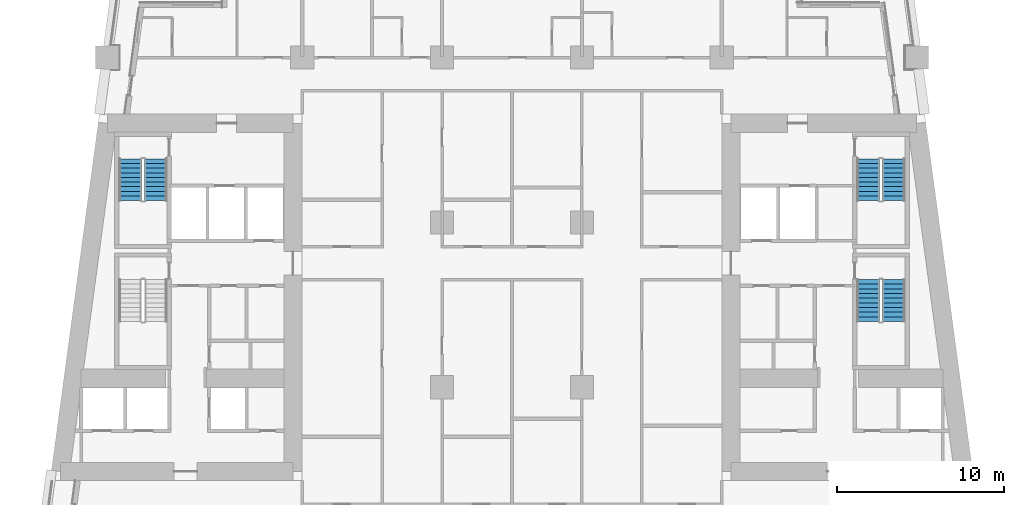
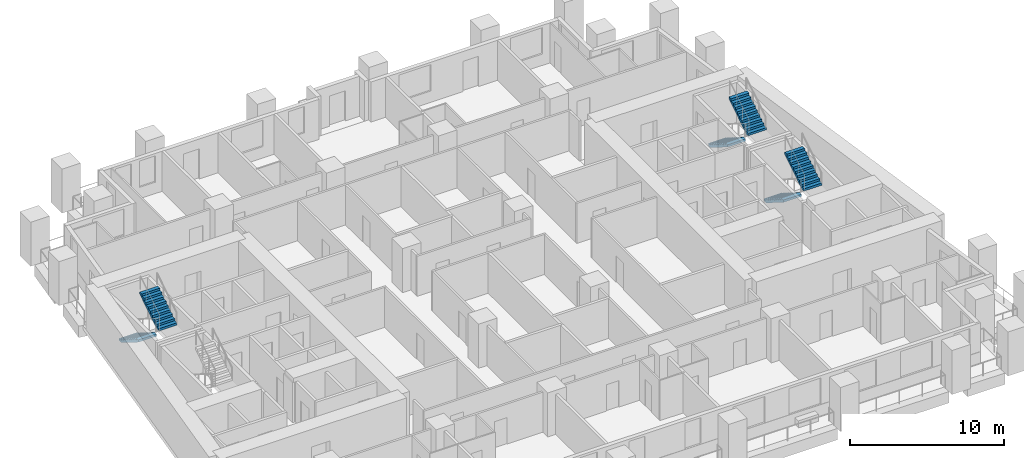
# One storey, part 8 of 13: 6 stair flights, 3 elements without a shape of their own.
"""IFC4 building model written with IfcOpenShell, lengths in metres."""

from ifc_helpers import new_model, si_unit, direction, frame, origin, place, context, subcontext, project, spatial, polyline, outline, extrude, material, type_object, element, aggregate, save


model = new_model("IFC4")

# Units and contexts
model_context = context("Model", 3, precision=1e-05, world=origin(), true_north=direction((0.0, 1.0)))
body_context = subcontext(model_context, "Body", "Model", "MODEL_VIEW")
ifc_project = project(units=[si_unit("LENGTHUNIT", "METRE"), si_unit("AREAUNIT", "SQUARE_METRE"), si_unit("VOLUMEUNIT", "CUBIC_METRE"), si_unit("PLANEANGLEUNIT", "RADIAN"), si_unit("MASSUNIT", "GRAM", prefix="KILO")], contexts=[model_context])

# Site, building, storey
site_placement = place(None, origin())
site = spatial("IfcSite", under=ifc_project, at=site_placement, CompositionType="ELEMENT")
building_placement = place(site_placement, origin())
building = spatial("IfcBuilding", under=site, at=building_placement, Name="Candeia Pilgrim Tower and Theatre", CompositionType="ELEMENT")
storey_placement = place(building_placement, frame((0.0, 0.0, 56.5)))
storey = spatial("IfcBuildingStorey", under=building, at=storey_placement, Name="L11", CompositionType="ELEMENT", Elevation=56.5)

# Stair, stair flights
ifc_material = material(Name="Concrete C40/50", Category="concrete")
stair_type = type_object("IfcStairType", Name="ST-TWR dog-leg escape stair", PredefinedType="HALF_TURN_STAIR", material=ifc_material)
stair_1_placement = place(storey_placement, origin())
stair_1 = element("IfcStair", 1, at=stair_1_placement, inside=storey, type_object=stair_type, Name="L11 Escape stair ST2", PredefinedType="HALF_TURN_STAIR")
stair_flight_type = type_object("IfcStairFlightType", Name="SFL-RC stair flight", PredefinedType="STRAIGHT", material=ifc_material)
stair_flight_1_placement = place(storey_placement, frame((90.47705078125, 129.72509765625, 0.0), z_axis=(0.0, 0.0, 1.0), x_axis=(0.0, -1.0, 0.0)))
stair_flight_1 = element("IfcStairFlight", 2, at=stair_flight_1_placement, type_object=stair_flight_type, Name="ST2 flight 1", NumberOfRisers=10, NumberOfTreads=9, PredefinedType="STRAIGHT", RiserHeight=0.175, TreadLength=0.28, context=body_context, shape_type="SweptSolid", body=[
    extrude(outline(polyline([(0.0, 0.0), (0.0, 0.175048828125), (0.280029296875, 0.175048828125), (0.280029296875, 0.35009765625), (0.56005859375, 0.35009765625), (0.56005859375, 0.52490234375), (0.840087890625, 0.52490234375), (0.840087890625, 0.699951171875), (1.1201171875, 0.699951171875), (1.1201171875, 0.875), (1.39990234375, 0.875), (1.39990234375, 1.050048828125), (1.679931640625, 1.050048828125), (1.679931640625, 1.22509765625), (1.9599609375, 1.22509765625), (1.9599609375, 1.39990234375), (2.239990234375, 1.39990234375), (2.239990234375, 1.574951171875), (2.52001953125, 1.574951171875), (2.52001953125, 1.75), (2.52001953125, 1.398193359375), (0.28271484375, 0.0), (0.0, 0.0)])), frame((0.0, 0.675048828125, 0.0), z_axis=(0.0, -1.0, 0.0), x_axis=(1.0, 0.0, 0.0)), (0.0, 0.0, 1.0), 1.35009765625),
])
stair_flight_2_placement = place(storey_placement, frame((92.027099609375, 127.205078125, 1.75), z_axis=(0.0, 0.0, 1.0), x_axis=(0.0, 1.0, 0.0)))
stair_flight_2 = element("IfcStairFlight", 3, at=stair_flight_2_placement, type_object=stair_flight_type, Name="ST2 flight 2", NumberOfRisers=10, NumberOfTreads=9, PredefinedType="STRAIGHT", RiserHeight=0.175, TreadLength=0.28, context=body_context, shape_type="SweptSolid", body=[
    extrude(outline(polyline([(0.0, 0.0), (0.0, 0.175048828125), (0.280029296875, 0.175048828125), (0.280029296875, 0.35009765625), (0.56005859375, 0.35009765625), (0.56005859375, 0.52490234375), (0.840087890625, 0.52490234375), (0.840087890625, 0.699951171875), (1.1201171875, 0.699951171875), (1.1201171875, 0.875), (1.39990234375, 0.875), (1.39990234375, 1.050048828125), (1.679931640625, 1.050048828125), (1.679931640625, 1.22509765625), (1.9599609375, 1.22509765625), (1.9599609375, 1.39990234375), (2.239990234375, 1.39990234375), (2.239990234375, 1.574951171875), (2.52001953125, 1.574951171875), (2.52001953125, 1.75), (2.52001953125, 1.398193359375), (0.28271484375, 0.0), (0.0, 0.0)])), frame((0.0, 0.675048828125, 0.0), z_axis=(0.0, -1.0, 0.0), x_axis=(1.0, 0.0, 0.0)), (0.0, 0.0, 1.0), 1.35009765625),
])
aggregate(stair_1, [stair_flight_1, stair_flight_2])

stair_2_placement = place(storey_placement, origin())
stair_2 = element("IfcStair", 4, at=stair_2_placement, inside=storey, type_object=stair_type, Name="L11 Escape stair ST3", PredefinedType="HALF_TURN_STAIR")
stair_flight_3_placement = place(storey_placement, frame((134.77294921875, 122.47509765625, 0.0), z_axis=(0.0, 0.0, 1.0), x_axis=(0.0, -1.0, 0.0)))
stair_flight_3 = element("IfcStairFlight", 5, at=stair_flight_3_placement, type_object=stair_flight_type, Name="ST3 flight 1", NumberOfRisers=10, NumberOfTreads=9, PredefinedType="STRAIGHT", RiserHeight=0.175, TreadLength=0.28, context=body_context, shape_type="SweptSolid", body=[
    extrude(outline(polyline([(0.0, 0.0), (0.0, 0.175048828125), (0.280029296875, 0.175048828125), (0.280029296875, 0.35009765625), (0.56005859375, 0.35009765625), (0.56005859375, 0.52490234375), (0.840087890625, 0.52490234375), (0.840087890625, 0.699951171875), (1.1201171875, 0.699951171875), (1.1201171875, 0.875), (1.39990234375, 0.875), (1.39990234375, 1.050048828125), (1.679931640625, 1.050048828125), (1.679931640625, 1.22509765625), (1.9599609375, 1.22509765625), (1.9599609375, 1.39990234375), (2.239990234375, 1.39990234375), (2.239990234375, 1.574951171875), (2.52001953125, 1.574951171875), (2.52001953125, 1.75), (2.52001953125, 1.398193359375), (0.28271484375, 0.0), (0.0, 0.0)])), frame((0.0, 0.675048828125, 0.0), z_axis=(0.0, -1.0, 0.0), x_axis=(1.0, 0.0, 0.0)), (0.0, 0.0, 1.0), 1.35009765625),
])
stair_flight_4_placement = place(storey_placement, frame((136.322998046875, 119.955078125, 1.75), z_axis=(0.0, 0.0, 1.0), x_axis=(0.0, 1.0, 0.0)))
stair_flight_4 = element("IfcStairFlight", 6, at=stair_flight_4_placement, type_object=stair_flight_type, Name="ST3 flight 2", NumberOfRisers=10, NumberOfTreads=9, PredefinedType="STRAIGHT", RiserHeight=0.175, TreadLength=0.28, context=body_context, shape_type="SweptSolid", body=[
    extrude(outline(polyline([(0.0, 0.0), (0.0, 0.175048828125), (0.280029296875, 0.175048828125), (0.280029296875, 0.35009765625), (0.56005859375, 0.35009765625), (0.56005859375, 0.52490234375), (0.840087890625, 0.52490234375), (0.840087890625, 0.699951171875), (1.1201171875, 0.699951171875), (1.1201171875, 0.875), (1.39990234375, 0.875), (1.39990234375, 1.050048828125), (1.679931640625, 1.050048828125), (1.679931640625, 1.22509765625), (1.9599609375, 1.22509765625), (1.9599609375, 1.39990234375), (2.239990234375, 1.39990234375), (2.239990234375, 1.574951171875), (2.52001953125, 1.574951171875), (2.52001953125, 1.75), (2.52001953125, 1.398193359375), (0.28271484375, 0.0), (0.0, 0.0)])), frame((0.0, 0.675048828125, 0.0), z_axis=(0.0, -1.0, 0.0), x_axis=(1.0, 0.0, 0.0)), (0.0, 0.0, 1.0), 1.35009765625),
])
aggregate(stair_2, [stair_flight_3, stair_flight_4])

stair_3_placement = place(storey_placement, origin())
stair_3 = element("IfcStair", 7, at=stair_3_placement, inside=storey, type_object=stair_type, Name="L11 Escape stair ST4", PredefinedType="HALF_TURN_STAIR")
stair_flight_5_placement = place(storey_placement, frame((134.77294921875, 129.72509765625, 0.0), z_axis=(0.0, 0.0, 1.0), x_axis=(0.0, -1.0, 0.0)))
stair_flight_5 = element("IfcStairFlight", 8, at=stair_flight_5_placement, type_object=stair_flight_type, Name="ST4 flight 1", NumberOfRisers=10, NumberOfTreads=9, PredefinedType="STRAIGHT", RiserHeight=0.175, TreadLength=0.28, context=body_context, shape_type="SweptSolid", body=[
    extrude(outline(polyline([(0.0, 0.0), (0.0, 0.175048828125), (0.280029296875, 0.175048828125), (0.280029296875, 0.35009765625), (0.56005859375, 0.35009765625), (0.56005859375, 0.52490234375), (0.840087890625, 0.52490234375), (0.840087890625, 0.699951171875), (1.1201171875, 0.699951171875), (1.1201171875, 0.875), (1.39990234375, 0.875), (1.39990234375, 1.050048828125), (1.679931640625, 1.050048828125), (1.679931640625, 1.22509765625), (1.9599609375, 1.22509765625), (1.9599609375, 1.39990234375), (2.239990234375, 1.39990234375), (2.239990234375, 1.574951171875), (2.52001953125, 1.574951171875), (2.52001953125, 1.75), (2.52001953125, 1.398193359375), (0.28271484375, 0.0), (0.0, 0.0)])), frame((0.0, 0.675048828125, 0.0), z_axis=(0.0, -1.0, 0.0), x_axis=(1.0, 0.0, 0.0)), (0.0, 0.0, 1.0), 1.35009765625),
])
stair_flight_6_placement = place(storey_placement, frame((136.322998046875, 127.205078125, 1.75), z_axis=(0.0, 0.0, 1.0), x_axis=(0.0, 1.0, 0.0)))
stair_flight_6 = element("IfcStairFlight", 9, at=stair_flight_6_placement, type_object=stair_flight_type, Name="ST4 flight 2", NumberOfRisers=10, NumberOfTreads=9, PredefinedType="STRAIGHT", RiserHeight=0.175, TreadLength=0.28, context=body_context, shape_type="SweptSolid", body=[
    extrude(outline(polyline([(0.0, 0.0), (0.0, 0.175048828125), (0.280029296875, 0.175048828125), (0.280029296875, 0.35009765625), (0.56005859375, 0.35009765625), (0.56005859375, 0.52490234375), (0.840087890625, 0.52490234375), (0.840087890625, 0.699951171875), (1.1201171875, 0.699951171875), (1.1201171875, 0.875), (1.39990234375, 0.875), (1.39990234375, 1.050048828125), (1.679931640625, 1.050048828125), (1.679931640625, 1.22509765625), (1.9599609375, 1.22509765625), (1.9599609375, 1.39990234375), (2.239990234375, 1.39990234375), (2.239990234375, 1.574951171875), (2.52001953125, 1.574951171875), (2.52001953125, 1.75), (2.52001953125, 1.398193359375), (0.28271484375, 0.0), (0.0, 0.0)])), frame((0.0, 0.675048828125, 0.0), z_axis=(0.0, -1.0, 0.0), x_axis=(1.0, 0.0, 0.0)), (0.0, 0.0, 1.0), 1.35009765625),
])
aggregate(stair_3, [stair_flight_5, stair_flight_6])

save(model, "model.ifc")
